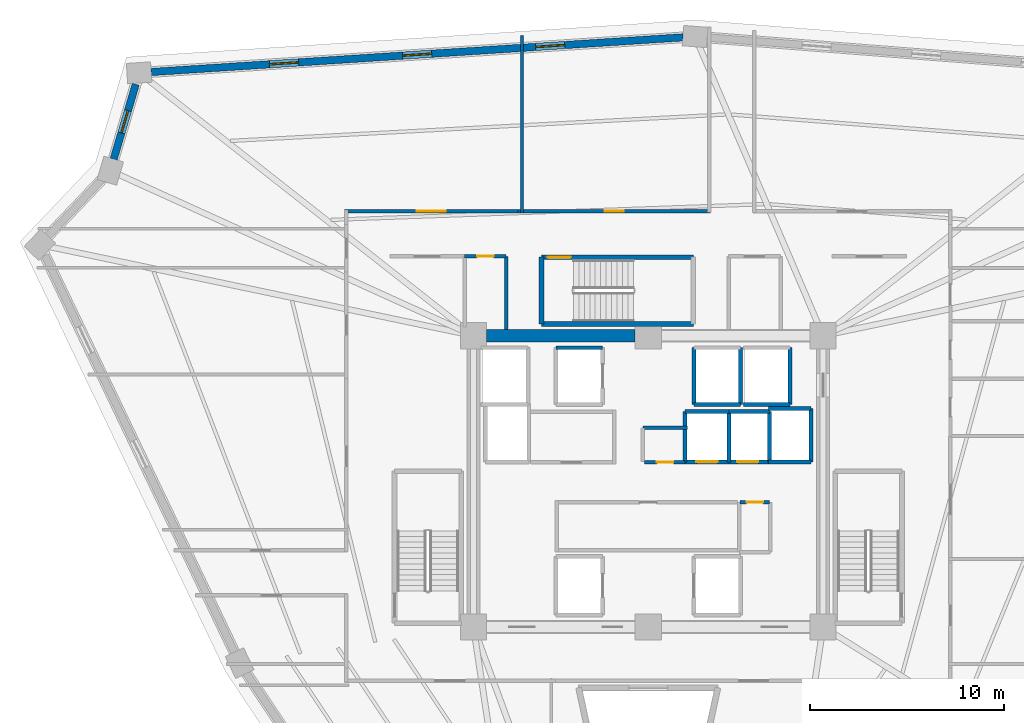
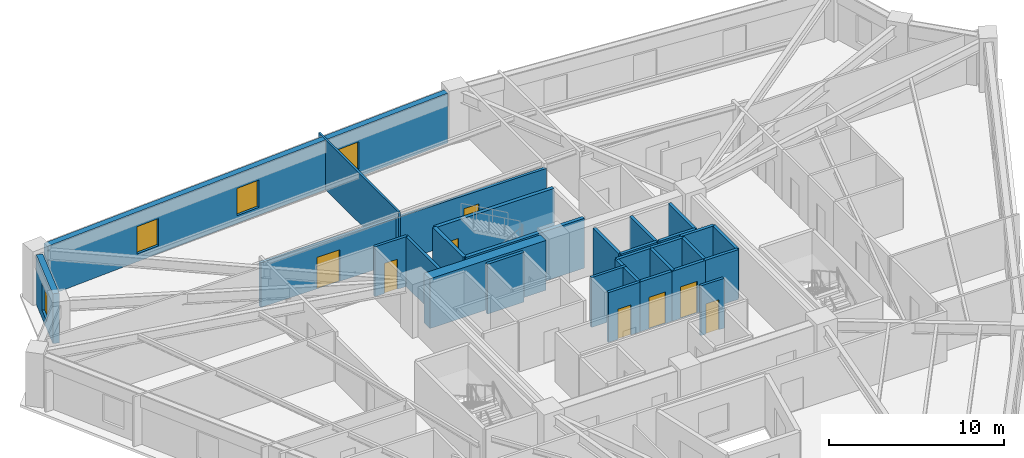
# One storey, part 5 of 8: 30 walls, 8 doors, 4 windows, 12 openings.
"""IFC4 building model written with IfcOpenShell, lengths in metres."""

from ifc_helpers import new_model, si_unit, direction, frame, frame_2d, origin, place, context, subcontext, project, spatial, rectangle, extrude, source, transform, mapped, material, layer, layer_set, type_object, element, fill, save


model = new_model("IFC4")

# Units and contexts
model_context = context("Model", 3, precision=1e-05, world=origin(), true_north=direction((0.0, 1.0)))
body_context = subcontext(model_context, "Body", "Model", "MODEL_VIEW")
ifc_project = project(units=[si_unit("LENGTHUNIT", "METRE"), si_unit("AREAUNIT", "SQUARE_METRE"), si_unit("VOLUMEUNIT", "CUBIC_METRE"), si_unit("PLANEANGLEUNIT", "RADIAN"), si_unit("MASSUNIT", "GRAM", prefix="KILO")], contexts=[model_context])

# Site, building, storey
site_placement = place(None, origin())
site = spatial("IfcSite", under=ifc_project, at=site_placement, CompositionType="ELEMENT")
building_placement = place(site_placement, origin())
building = spatial("IfcBuilding", under=site, at=building_placement, Name="Liaohun Quay Tower", CompositionType="ELEMENT")
storey_placement = place(building_placement, frame((0.0, 0.0, 273.75)))
storey = spatial("IfcBuildingStorey", under=building, at=storey_placement, Name="L71", CompositionType="ELEMENT", Elevation=273.75)

# Wall
ifc_material_1 = material(Name="Concrete C55", Category="concrete")
ifc_layer_1 = layer(ifc_material_1, 0.64990234375, Name="Concrete C55", Category="concrete")
ifc_layer_set_1 = layer_set([ifc_layer_1], Name="Concrete C55")
wall_type_1 = type_object("IfcWallType", Name="WAL-COR-Z3", PredefinedType="SHEAR", material=ifc_layer_set_1)
wall_1_placement = place(storey_placement, frame((51.675048828125, 61.5, 0.0), z_axis=(0.0, 0.0, 1.0), x_axis=(1.0, 0.0, 0.0)))
element("IfcWall", 1, at=wall_1_placement, inside=storey, type_object=wall_type_1, Name="L71 Central Core Shear Wall N-W", PredefinedType="SHEAR", context=body_context, shape_type="SweptSolid", body=[
    extrude(rectangle(XDim=7.64990234375, YDim=0.64990234375, at=frame_2d((3.824951171875, 0.0))), origin(), (0.0, 0.0, 1.0), 3.469970703125),
])

# Wall, openings, windows
ifc_material_2 = material(Name="Precast concrete C50 insulated sandwich", Category="concrete")
ifc_layer_2 = layer(ifc_material_2, 0.3798828125, Name="Precast concrete C50 insulated sandwich", Category="concrete")
ifc_layer_set_2 = layer_set([ifc_layer_2], Name="Precast concrete C50 insulated sandwich")
wall_type_2 = type_object("IfcWallType", Name="WAL-EXT-Z34", PredefinedType="SOLIDWALL", material=ifc_layer_set_2)
wall_2_placement = place(storey_placement, frame((61.798095703125, 76.85888671875, 0.0), z_axis=(0.0, 0.0, 1.0), x_axis=(-0.997879704208, -0.065085297335, 0.0)))
wall_2 = element("IfcWall", 2, at=wall_2_placement, inside=storey, type_object=wall_type_2, Name="L71 Brutalist Precast Pier Wall 07", PredefinedType="SOLIDWALL", context=body_context, shape_type="SweptSolid", body=[
    extrude(rectangle(XDim=27.4541015625, YDim=0.3798828125, at=frame_2d((13.72705078125, 0.0))), origin(), (0.0, 0.0, 1.0), 3.469970703125),
])
shared_shape_1 = source(origin(), body_context, "Body", "SweptSolid", [
    extrude(rectangle(XDim=1.5, YDim=1.89990234375, at=frame_2d((0.75, 0.949951171875))), frame((0.0, 0.199951171875, 0.0), z_axis=(0.0, -1.0, 0.0), x_axis=(1.0, 0.0, 0.0)), (0.0, 0.0, 1.0), 0.39990234375),
])
opening_1_placement = place(wall_2_placement, frame((6.114013671875, 0.0, 0.550048828125)))
opening_1 = element("IfcOpeningElement", 3, at=opening_1_placement, cuts=wall_2, Name="Opening W03", PredefinedType="OPENING", context=body_context, shape_type="MappedRepresentation", body=[
    mapped(shared_shape_1, transform((0.0, 0.0, 0.0), x_axis=(1.0, 0.0, 0.0), y_axis=(0.0, 1.0, 0.0), z_axis=(0.0, 0.0, 1.0), scale=1.0)),
])
opening_2_placement = place(wall_2_placement, frame((12.97705078125, 0.0, 0.550048828125)))
opening_2 = element("IfcOpeningElement", 4, at=opening_2_placement, cuts=wall_2, Name="Opening W03", PredefinedType="OPENING", context=body_context, shape_type="MappedRepresentation", body=[
    mapped(shared_shape_1, transform((0.0, 0.0, 0.0), x_axis=(1.0, 0.0, 0.0), y_axis=(0.0, 1.0, 0.0), z_axis=(0.0, 0.0, 1.0), scale=1.0)),
])
opening_3_placement = place(wall_2_placement, frame((19.841064453125, 0.0, 0.550048828125)))
opening_3 = element("IfcOpeningElement", 5, at=opening_3_placement, cuts=wall_2, Name="Opening W03", PredefinedType="OPENING", context=body_context, shape_type="MappedRepresentation", body=[
    mapped(shared_shape_1, transform((0.0, 0.0, 0.0), x_axis=(1.0, 0.0, 0.0), y_axis=(0.0, 1.0, 0.0), z_axis=(0.0, 0.0, 1.0), scale=1.0)),
])
ifc_material_3 = material(Name="Triple Low-E argon glazing in thermally broken aluminium", Category="aluminium")
window_type_1 = type_object("IfcWindowType", Name="WIN-PUN-Z3", PartitioningType="DOUBLE_PANEL_VERTICAL", PredefinedType="WINDOW", material=ifc_material_3)
shared_shape_2 = source(origin(), body_context, "Body", "SweptSolid", [
    extrude(rectangle(XDim=1.5, YDim=1.89990234375, at=frame_2d((0.75, 0.949951171875))), frame((0.0, 0.030029296875, 0.0), z_axis=(0.0, -1.0, 0.0), x_axis=(1.0, 0.0, 0.0)), (0.0, 0.0, 1.0), 0.06005859375),
])
window_1_placement = place(opening_1_placement, origin())
window_1 = element("IfcWindow", 6, at=window_1_placement, inside=storey, type_object=window_type_1, Name="L71 Recessed Cold-Climate Punched Window 07-1", OverallHeight=1.89990234375, OverallWidth=1.5, PartitioningType="DOUBLE_PANEL_VERTICAL", PredefinedType="WINDOW", context=body_context, shape_type="MappedRepresentation", body=[
    mapped(shared_shape_2, transform((0.0, 0.0, 0.0), x_axis=(1.0, 0.0, 0.0), y_axis=(0.0, 1.0, 0.0), z_axis=(0.0, 0.0, 1.0), scale=1.0)),
])
fill(opening_1, window_1)
window_2_placement = place(opening_2_placement, origin())
window_2 = element("IfcWindow", 7, at=window_2_placement, inside=storey, type_object=window_type_1, Name="L71 Recessed Cold-Climate Punched Window 07-2", OverallHeight=1.89990234375, OverallWidth=1.5, PartitioningType="DOUBLE_PANEL_VERTICAL", PredefinedType="WINDOW", context=body_context, shape_type="MappedRepresentation", body=[
    mapped(shared_shape_2, transform((0.0, 0.0, 0.0), x_axis=(1.0, 0.0, 0.0), y_axis=(0.0, 1.0, 0.0), z_axis=(0.0, 0.0, 1.0), scale=1.0)),
])
fill(opening_2, window_2)
window_3_placement = place(opening_3_placement, origin())
window_3 = element("IfcWindow", 8, at=window_3_placement, inside=storey, type_object=window_type_1, Name="L71 Recessed Cold-Climate Punched Window 07-3", OverallHeight=1.89990234375, OverallWidth=1.5, PartitioningType="DOUBLE_PANEL_VERTICAL", PredefinedType="WINDOW", context=body_context, shape_type="MappedRepresentation", body=[
    mapped(shared_shape_2, transform((0.0, 0.0, 0.0), x_axis=(1.0, 0.0, 0.0), y_axis=(0.0, 1.0, 0.0), z_axis=(0.0, 0.0, 1.0), scale=1.0)),
])
fill(opening_3, window_3)

# Wall, opening, window
wall_3_placement = place(storey_placement, frame((33.614013671875, 74.44189453125, 0.0), z_axis=(0.0, 0.0, 1.0), x_axis=(-0.28278049645, -0.959184648974, 0.0)))
wall_3 = element("IfcWall", 9, at=wall_3_placement, inside=storey, type_object=wall_type_2, Name="L71 Brutalist Precast Pier Wall 08", PredefinedType="SOLIDWALL", context=body_context, shape_type="SweptSolid", body=[
    extrude(rectangle(XDim=4.024169921875, YDim=0.3798828125, at=frame_2d((2.01220703125, 0.0))), origin(), (0.0, 0.0, 1.0), 3.469970703125),
])
shared_shape_3 = source(origin(), body_context, "Body", "SweptSolid", [
    extrude(rectangle(XDim=1.199951171875, YDim=1.89990234375, at=frame_2d((0.60009765625, 0.949951171875))), frame((0.0, 0.199951171875, 0.0), z_axis=(0.0, -1.0, 0.0), x_axis=(1.0, 0.0, 0.0)), (0.0, 0.0, 1.0), 0.39990234375),
])
opening_4_placement = place(wall_3_placement, frame((1.412109375, 0.0, 0.550048828125)))
opening_4 = element("IfcOpeningElement", 10, at=opening_4_placement, cuts=wall_3, Name="Opening W05", PredefinedType="OPENING", context=body_context, shape_type="MappedRepresentation", body=[
    mapped(shared_shape_3, transform((0.0, 0.0, 0.0), x_axis=(1.0, 0.0, 0.0), y_axis=(0.0, 1.0, 0.0), z_axis=(0.0, 0.0, 1.0), scale=1.0)),
])
ifc_material_4 = material(Name="Triple Low-E corner notch glazing", Category="glass")
window_type_2 = type_object("IfcWindowType", Name="WIN-NOTCH", PartitioningType="SINGLE_PANEL", PredefinedType="WINDOW", material=ifc_material_4)
shared_shape_4 = source(origin(), body_context, "Body", "SweptSolid", [
    extrude(rectangle(XDim=1.199951171875, YDim=1.89990234375, at=frame_2d((0.60009765625, 0.949951171875))), frame((0.0, 0.030029296875, 0.0), z_axis=(0.0, -1.0, 0.0), x_axis=(1.0, 0.0, 0.0)), (0.0, 0.0, 1.0), 0.06005859375),
])
window_4_placement = place(opening_4_placement, origin())
window_4 = element("IfcWindow", 11, at=window_4_placement, inside=storey, type_object=window_type_2, Name="L71 Corner Notch Window W05-08", OverallHeight=1.89990234375, OverallWidth=1.199951171875, PartitioningType="SINGLE_PANEL", PredefinedType="WINDOW", context=body_context, shape_type="MappedRepresentation", body=[
    mapped(shared_shape_4, transform((0.0, 0.0, 0.0), x_axis=(1.0, 0.0, 0.0), y_axis=(0.0, 1.0, 0.0), z_axis=(0.0, 0.0, 1.0), scale=1.0)),
])
fill(opening_4, window_4)

# Wall, opening, door
ifc_material_5 = material(Name="Autoclaved aerated concrete blockwork", Category="masonry")
ifc_layer_3 = layer(ifc_material_5, 0.179931640625, Name="Autoclaved aerated concrete blockwork", Category="masonry")
ifc_layer_set_3 = layer_set([ifc_layer_3], Name="Autoclaved aerated concrete blockwork")
wall_type_3 = type_object("IfcWallType", Name="WAL-PRT-COR", PredefinedType="PARTITIONING", material=ifc_layer_set_3)
wall_4_placement = place(storey_placement, frame((59.81005859375, 54.97998046875, 0.0), z_axis=(0.0, 0.0, 1.0), x_axis=(1.0, 0.0, 0.0)))
wall_4 = element("IfcWall", 12, at=wall_4_placement, inside=storey, type_object=wall_type_3, Name="L71 Interior Partition Wall 003", PredefinedType="PARTITIONING", context=body_context, shape_type="SweptSolid", body=[
    extrude(rectangle(XDim=2.08984375, YDim=0.179931640625, at=frame_2d((1.044921875, 0.0))), origin(), (0.0, 0.0, 1.0), 3.469970703125),
])
shared_shape_5 = source(origin(), body_context, "Body", "SweptSolid", [
    extrude(rectangle(XDim=0.85009765625, YDim=2.10009765625, at=frame_2d((0.425048828125, 1.050048828125))), frame((0.0, 0.099853515625, 0.0), z_axis=(0.0, -1.0, 0.0), x_axis=(1.0, 0.0, 0.0)), (0.0, 0.0, 1.0), 0.199951171875),
])
opening_5_placement = place(wall_4_placement, frame((0.635009765625, 0.0, 0.0)))
opening_5 = element("IfcOpeningElement", 13, at=opening_5_placement, cuts=wall_4, Name="Opening AD1", PredefinedType="OPENING", context=body_context, shape_type="MappedRepresentation", body=[
    mapped(shared_shape_5, transform((0.0, 0.0, 0.0), x_axis=(1.0, 0.0, 0.0), y_axis=(0.0, 1.0, 0.0), z_axis=(0.0, 0.0, 1.0), scale=1.0)),
])
ifc_material_6 = material(Name="Steel riser inspection fire door", Category="steel")
door_type_1 = type_object("IfcDoorType", Name="DOR-SHF-850", OperationType="NOTDEFINED", PredefinedType="DOOR", material=ifc_material_6)
shared_shape_6 = source(origin(), body_context, "Body", "SweptSolid", [
    extrude(rectangle(XDim=0.85009765625, YDim=2.10009765625, at=frame_2d((0.425048828125, 1.050048828125))), frame((0.0, 0.02490234375, 0.0), z_axis=(0.0, -1.0, 0.0), x_axis=(1.0, 0.0, 0.0)), (0.0, 0.0, 1.0), 0.050048828125),
])
door_1_placement = place(opening_5_placement, origin())
door_1 = element("IfcDoor", 14, at=door_1_placement, inside=storey, type_object=door_type_1, Name="L71 Electrical Meter Room Door", OperationType="SINGLE_SWING_RIGHT", OverallHeight=2.10009765625, OverallWidth=0.85009765625, PredefinedType="DOOR", context=body_context, shape_type="MappedRepresentation", body=[
    mapped(shared_shape_6, transform((0.0, 0.0, 0.0), x_axis=(1.0, 0.0, 0.0), y_axis=(0.0, 1.0, 0.0), z_axis=(0.0, 0.0, 1.0), scale=1.0)),
])
fill(opening_5, door_1)

wall_5_placement = place(storey_placement, frame((64.719970703125, 52.919921875, 0.0), z_axis=(0.0, 0.0, 1.0), x_axis=(1.0, 0.0, 0.0)))
wall_5 = element("IfcWall", 15, at=wall_5_placement, inside=storey, type_object=wall_type_3, Name="L71 Interior Partition Wall 004", PredefinedType="PARTITIONING", context=body_context, shape_type="SweptSolid", body=[
    extrude(rectangle(XDim=1.530029296875, YDim=0.179931640625, at=frame_2d((0.76513671875, 0.0))), origin(), (0.0, 0.0, 1.0), 3.469970703125),
])
opening_6_placement = place(wall_5_placement, frame((0.340087890625, 0.0, 0.0)))
opening_6 = element("IfcOpeningElement", 16, at=opening_6_placement, cuts=wall_5, Name="Opening AD1", PredefinedType="OPENING", context=body_context, shape_type="MappedRepresentation", body=[
    mapped(shared_shape_5, transform((0.0, 0.0, 0.0), x_axis=(1.0, 0.0, 0.0), y_axis=(0.0, 1.0, 0.0), z_axis=(0.0, 0.0, 1.0), scale=1.0)),
])
door_2_placement = place(opening_6_placement, origin())
door_2 = element("IfcDoor", 17, at=door_2_placement, inside=storey, type_object=door_type_1, Name="L71 BMS Data Riser Room Door", OperationType="SINGLE_SWING_LEFT", OverallHeight=2.10009765625, OverallWidth=0.85009765625, PredefinedType="DOOR", context=body_context, shape_type="MappedRepresentation", body=[
    mapped(shared_shape_6, transform((0.0, 0.0, 0.0), x_axis=(1.0, 0.0, 0.0), y_axis=(0.0, 1.0, 0.0), z_axis=(0.0, 0.0, 1.0), scale=1.0)),
])
fill(opening_6, door_2)

wall_6_placement = place(storey_placement, frame((50.5400390625, 65.580078125, 0.0), z_axis=(0.0, 0.0, 1.0), x_axis=(1.0, 0.0, 0.0)))
wall_6 = element("IfcWall", 18, at=wall_6_placement, inside=storey, type_object=wall_type_3, Name="L71 Interior Partition Wall 008", PredefinedType="PARTITIONING", context=body_context, shape_type="SweptSolid", body=[
    extrude(rectangle(XDim=2.139892578125, YDim=0.179931640625, at=frame_2d((1.06982421875, 0.0))), origin(), (0.0, 0.0, 1.0), 3.469970703125),
])
opening_7_placement = place(wall_6_placement, frame((0.64501953125, 0.0, 0.0)))
opening_7 = element("IfcOpeningElement", 19, at=opening_7_placement, cuts=wall_6, Name="Opening AD1", PredefinedType="OPENING", context=body_context, shape_type="MappedRepresentation", body=[
    mapped(shared_shape_5, transform((0.0, 0.0, 0.0), x_axis=(1.0, 0.0, 0.0), y_axis=(0.0, 1.0, 0.0), z_axis=(0.0, 0.0, 1.0), scale=1.0)),
])
door_3_placement = place(opening_7_placement, origin())
door_3 = element("IfcDoor", 20, at=door_3_placement, inside=storey, type_object=door_type_1, Name="L71 North-West Supply Store Door", OperationType="SINGLE_SWING_LEFT", OverallHeight=2.10009765625, OverallWidth=0.85009765625, PredefinedType="DOOR", context=body_context, shape_type="MappedRepresentation", body=[
    mapped(shared_shape_6, transform((0.0, 0.0, 0.0), x_axis=(1.0, 0.0, 0.0), y_axis=(0.0, 1.0, 0.0), z_axis=(0.0, 0.0, 1.0), scale=1.0)),
])
fill(opening_7, door_3)

wall_7_placement = place(storey_placement, frame((53.284912109375, 67.909912109375, 0.0), z_axis=(0.0, 0.0, 1.0), x_axis=(1.0, 0.0, 0.0)))
wall_7 = element("IfcWall", 21, at=wall_7_placement, inside=storey, type_object=wall_type_3, Name="L71 Interior Partition Wall 014", PredefinedType="PARTITIONING", context=body_context, shape_type="SweptSolid", body=[
    extrude(rectangle(XDim=9.925048828125, YDim=0.179931640625, at=frame_2d((4.96240234375, 0.0))), origin(), (0.0, 0.0, 1.0), 3.10498046875),
])
shared_shape_7 = source(origin(), body_context, "Body", "SweptSolid", [
    extrude(rectangle(XDim=1.0, YDim=2.199951171875, at=frame_2d((0.5, 1.10009765625))), frame((0.0, 0.099853515625, 0.0), z_axis=(0.0, -1.0, 0.0), x_axis=(1.0, 0.0, 0.0)), (0.0, 0.0, 1.0), 0.199951171875),
])
opening_8_placement = place(wall_7_placement, frame((4.462890625, 0.0, 0.0)))
opening_8 = element("IfcOpeningElement", 22, at=opening_8_placement, cuts=wall_7, Name="Opening OD1", PredefinedType="OPENING", context=body_context, shape_type="MappedRepresentation", body=[
    mapped(shared_shape_7, transform((0.0, 0.0, 0.0), x_axis=(1.0, 0.0, 0.0), y_axis=(0.0, 1.0, 0.0), z_axis=(0.0, 0.0, 1.0), scale=1.0)),
])
ifc_material_7 = material(Name="Solid-core oak veneer timber leaf in steel frame", Category="steel")
door_type_2 = type_object("IfcDoorType", Name="DOR-OFF-1000", OperationType="NOTDEFINED", PredefinedType="DOOR", material=ifc_material_7)
shared_shape_8 = source(origin(), body_context, "Body", "SweptSolid", [
    extrude(rectangle(XDim=1.0, YDim=2.199951171875, at=frame_2d((0.5, 1.10009765625))), frame((0.0, 0.02490234375, 0.0), z_axis=(0.0, -1.0, 0.0), x_axis=(1.0, 0.0, 0.0)), (0.0, 0.0, 1.0), 0.050048828125),
])
door_4_placement = place(opening_8_placement, origin())
door_4 = element("IfcDoor", 23, at=door_4_placement, inside=storey, type_object=door_type_2, Name="L71 Digital Prototyping Laboratory 03 Door", OperationType="SINGLE_SWING_LEFT", OverallHeight=2.199951171875, OverallWidth=1.0, PredefinedType="DOOR", context=body_context, shape_type="MappedRepresentation", body=[
    mapped(shared_shape_8, transform((0.0, 0.0, 0.0), x_axis=(1.0, 0.0, 0.0), y_axis=(0.0, 1.0, 0.0), z_axis=(0.0, 0.0, 1.0), scale=1.0)),
])
fill(opening_8, door_4)

wall_8_placement = place(storey_placement, frame((44.3701171875, 67.909912109375, 0.0), z_axis=(0.0, 0.0, 1.0), x_axis=(1.0, 0.0, 0.0)))
wall_8 = element("IfcWall", 24, at=wall_8_placement, inside=storey, type_object=wall_type_3, Name="L71 Interior Partition Wall 015", PredefinedType="PARTITIONING", context=body_context, shape_type="SweptSolid", body=[
    extrude(rectangle(XDim=8.914794921875, YDim=0.179931640625, at=frame_2d((4.45751953125, 0.0))), origin(), (0.0, 0.0, 1.0), 3.10498046875),
])
shared_shape_9 = source(origin(), body_context, "Body", "SweptSolid", [
    extrude(rectangle(XDim=1.5, YDim=2.199951171875, at=frame_2d((0.75, 1.10009765625))), frame((0.0, 0.099853515625, 0.0), z_axis=(0.0, -1.0, 0.0), x_axis=(1.0, 0.0, 0.0)), (0.0, 0.0, 1.0), 0.199951171875),
])
opening_9_placement = place(wall_8_placement, frame((3.70703125, 0.0, 0.0)))
opening_9 = element("IfcOpeningElement", 25, at=opening_9_placement, cuts=wall_8, Name="Opening OD2", PredefinedType="OPENING", context=body_context, shape_type="MappedRepresentation", body=[
    mapped(shared_shape_9, transform((0.0, 0.0, 0.0), x_axis=(1.0, 0.0, 0.0), y_axis=(0.0, 1.0, 0.0), z_axis=(0.0, 0.0, 1.0), scale=1.0)),
])
ifc_material_8 = material(Name="Acoustic oak veneer double door")
door_type_3 = type_object("IfcDoorType", Name="DOR-OFF-1500", OperationType="DOUBLE_DOOR_SINGLE_SWING", PredefinedType="DOOR", material=ifc_material_8)
shared_shape_10 = source(origin(), body_context, "Body", "SweptSolid", [
    extrude(rectangle(XDim=1.5, YDim=2.199951171875, at=frame_2d((0.75, 1.10009765625))), frame((0.0, 0.02490234375, 0.0), z_axis=(0.0, -1.0, 0.0), x_axis=(1.0, 0.0, 0.0)), (0.0, 0.0, 1.0), 0.050048828125),
])
door_5_placement = place(opening_9_placement, origin())
door_5 = element("IfcDoor", 26, at=door_5_placement, inside=storey, type_object=door_type_3, Name="L71 Project Collaboration Studio 04 Door", OperationType="DOUBLE_DOOR_SINGLE_SWING", OverallHeight=2.199951171875, OverallWidth=1.5, PredefinedType="DOOR", context=body_context, shape_type="MappedRepresentation", body=[
    mapped(shared_shape_10, transform((0.0, 0.0, 0.0), x_axis=(1.0, 0.0, 0.0), y_axis=(0.0, 1.0, 0.0), z_axis=(0.0, 0.0, 1.0), scale=1.0)),
])
fill(opening_9, door_5)

# Walls
wall_9_placement = place(storey_placement, frame((59.719970703125, 56.75, 0.0), z_axis=(0.0, 0.0, 1.0), x_axis=(1.0, 0.0, 0.0)))
element("IfcWall", 27, at=wall_9_placement, inside=storey, type_object=wall_type_3, Name="L71 Interior Partition Wall 025", PredefinedType="PARTITIONING", context=body_context, shape_type="SweptSolid", body=[
    extrude(rectangle(XDim=2.2900390625, YDim=0.179931640625, at=frame_2d((1.14501953125, 0.0))), origin(), (0.0, 0.0, 1.0), 3.469970703125),
])
wall_10_placement = place(storey_placement, frame((52.679931640625, 61.824951171875, 0.0), z_axis=(0.0, 0.0, 1.0), x_axis=(0.0, 1.0, 0.0)))
element("IfcWall", 28, at=wall_10_placement, inside=storey, type_object=wall_type_3, Name="L71 Interior Partition Wall 035", PredefinedType="PARTITIONING", context=body_context, shape_type="SweptSolid", body=[
    extrude(rectangle(XDim=3.755126953125, YDim=0.179931640625, at=frame_2d((1.87744140625, 0.0))), origin(), (0.0, 0.0, 1.0), 3.469970703125),
])
ifc_material_9 = material(Name="Gypsum board on twin steel studs", Category="steel")
ifc_layer_4 = layer(ifc_material_9, 0.139892578125, Name="Gypsum board on twin steel studs", Category="steel")
ifc_layer_set_4 = layer_set([ifc_layer_4], Name="Gypsum board on twin steel studs")
wall_type_4 = type_object("IfcWallType", Name="WAL-PRT-OFF", PredefinedType="PARTITIONING", material=ifc_layer_set_4)
wall_11_placement = place(storey_placement, frame((53.5, 67.81005859375, 0.0), z_axis=(0.0, 0.0, 1.0), x_axis=(0.0, 1.0, 0.0)))
element("IfcWall", 29, at=wall_11_placement, inside=storey, type_object=wall_type_4, Name="L71 Interior Partition Wall 056", PredefinedType="PARTITIONING", context=body_context, shape_type="SweptSolid", body=[
    extrude(rectangle(XDim=9.138916015625, YDim=0.139892578125, at=frame_2d((4.5693359375, 0.0))), origin(), (0.0, 0.0, 1.0), 3.469970703125),
])
ifc_material_10 = material(Name="Concrete C50", Category="concrete")
ifc_layer_5 = layer(ifc_material_10, 0.239990234375, Name="Concrete C50", Category="concrete")
ifc_layer_set_5 = layer_set([ifc_layer_5], Name="Concrete C50")
wall_type_5 = type_object("IfcWallType", Name="WAL-SHF-200", PredefinedType="SOLIDWALL", material=ifc_layer_set_5)
wall_12_placement = place(storey_placement, frame((54.5, 62.10009765625, 0.0), z_axis=(0.0, 0.0, 1.0), x_axis=(1.0, 0.0, 0.0)))
element("IfcWall", 30, at=wall_12_placement, inside=storey, type_object=wall_type_5, Name="L71 Stairwell ST-3 Structural Core Wall S", PredefinedType="SOLIDWALL", context=body_context, shape_type="SweptSolid", body=[
    extrude(rectangle(XDim=7.820068359375, YDim=0.239990234375, at=frame_2d((3.91015625, 0.0))), origin(), (0.0, 0.0, 1.0), 3.469970703125),
])

# Wall, opening, door
wall_13_placement = place(storey_placement, frame((62.320068359375, 65.5400390625, 0.0), z_axis=(0.0, 0.0, 1.0), x_axis=(-1.0, 0.0, 0.0)))
wall_13 = element("IfcWall", 31, at=wall_13_placement, inside=storey, type_object=wall_type_5, Name="L71 Stairwell ST-3 Structural Core Wall N", PredefinedType="SOLIDWALL", context=body_context, shape_type="SweptSolid", body=[
    extrude(rectangle(XDim=7.820068359375, YDim=0.239990234375, at=frame_2d((3.91015625, 0.0))), origin(), (0.0, 0.0, 1.0), 3.469970703125),
])
shared_shape_11 = source(origin(), body_context, "Body", "SweptSolid", [
    extrude(rectangle(XDim=1.199951171875, YDim=2.199951171875, at=frame_2d((0.60009765625, 1.10009765625))), frame((0.0, 0.1298828125, 0.0), z_axis=(0.0, -1.0, 0.0), x_axis=(1.0, 0.0, 0.0)), (0.0, 0.0, 1.0), 0.260009765625),
])
opening_10_placement = place(wall_13_placement, frame((6.300048828125, 0.0, 0.0)))
opening_10 = element("IfcOpeningElement", 32, at=opening_10_placement, cuts=wall_13, Name="Opening SD1", PredefinedType="OPENING", context=body_context, shape_type="MappedRepresentation", body=[
    mapped(shared_shape_11, transform((0.0, 0.0, 0.0), x_axis=(1.0, 0.0, 0.0), y_axis=(0.0, 1.0, 0.0), z_axis=(0.0, 0.0, 1.0), scale=1.0)),
])
ifc_material_11 = material(Name="Galvanised steel fire door", Category="steel")
door_type_4 = type_object("IfcDoorType", Name="DOR-STR-1200", OperationType="NOTDEFINED", PredefinedType="DOOR", material=ifc_material_11)
shared_shape_12 = source(origin(), body_context, "Body", "SweptSolid", [
    extrude(rectangle(XDim=1.199951171875, YDim=2.199951171875, at=frame_2d((0.60009765625, 1.10009765625))), frame((0.0, 0.02490234375, 0.0), z_axis=(0.0, -1.0, 0.0), x_axis=(1.0, 0.0, 0.0)), (0.0, 0.0, 1.0), 0.050048828125),
])
door_6_placement = place(opening_10_placement, origin())
door_6 = element("IfcDoor", 33, at=door_6_placement, inside=storey, type_object=door_type_4, Name="L71 Protected Stair ST-3 Fire Door", OperationType="SINGLE_SWING_RIGHT", OverallHeight=2.199951171875, OverallWidth=1.199951171875, PredefinedType="DOOR", context=body_context, shape_type="MappedRepresentation", body=[
    mapped(shared_shape_12, transform((0.0, 0.0, 0.0), x_axis=(1.0, 0.0, 0.0), y_axis=(0.0, 1.0, 0.0), z_axis=(0.0, 0.0, 1.0), scale=1.0)),
])
fill(opening_10, door_6)

# Walls
wall_14_placement = place(storey_placement, frame((54.5, 65.5400390625, 0.0), z_axis=(0.0, 0.0, 1.0), x_axis=(0.0, -1.0, 0.0)))
element("IfcWall", 34, at=wall_14_placement, inside=storey, type_object=wall_type_5, Name="L71 Stairwell ST-3 Structural Core Wall W", PredefinedType="SOLIDWALL", context=body_context, shape_type="SweptSolid", body=[
    extrude(rectangle(XDim=3.43994140625, YDim=0.239990234375, at=frame_2d((1.719970703125, 0.0))), origin(), (0.0, 0.0, 1.0), 3.469970703125),
])
for number, where, z_axis, x_axis, name in (
    (35, (57.64990234375, 60.8798828125, 0.0), (0.0, 0.0, 1.0), (-1.0, 0.0, 0.0), "L71 Lift FF-03 Hoistway Wall N"),
    (36, (62.35009765625, 57.949951171875, 0.0), (0.0, 0.0, 1.0), (1.0, 0.0, 0.0), "L71 Lift OB-01 Hoistway Wall S"),
):
    element("IfcWall", number, at=place(storey_placement, frame(where, z_axis=z_axis, x_axis=x_axis)), inside=storey, type_object=wall_type_5, Name=name, PredefinedType="SOLIDWALL", context=body_context, shape_type="SweptSolid", body=[
        extrude(rectangle(XDim=2.39990234375, YDim=0.199951171875, at=frame_2d((1.199951171875, 0.0))), origin(), (0.0, 0.0, 1.0), 3.469970703125),
    ])
for number, where, z_axis, x_axis, name in (
    (37, (64.75, 57.949951171875, 0.0), (0.0, 0.0, 1.0), (0.0, 1.0, 0.0), "L71 Lift OB-01 Hoistway Wall E"),
    (38, (62.35009765625, 60.8798828125, 0.0), (0.0, 0.0, 1.0), (0.0, -1.0, 0.0), "L71 Lift OB-01 Hoistway Wall W"),
):
    element("IfcWall", number, at=place(storey_placement, frame(where, z_axis=z_axis, x_axis=x_axis)), inside=storey, type_object=wall_type_5, Name=name, PredefinedType="SOLIDWALL", context=body_context, shape_type="SweptSolid", body=[
        extrude(rectangle(XDim=2.929931640625, YDim=0.199951171875, at=frame_2d((1.46484375, 0.0))), origin(), (0.0, 0.0, 1.0), 3.469970703125),
    ])
wall_15_placement = place(storey_placement, frame((64.89990234375, 57.949951171875, 0.0), z_axis=(0.0, 0.0, 1.0), x_axis=(1.0, 0.0, 0.0)))
element("IfcWall", 39, at=wall_15_placement, inside=storey, type_object=wall_type_5, Name="L71 Lift OB-02 Hoistway Wall S", PredefinedType="SOLIDWALL", context=body_context, shape_type="SweptSolid", body=[
    extrude(rectangle(XDim=2.400146484375, YDim=0.199951171875, at=frame_2d((1.2001953125, 0.0))), origin(), (0.0, 0.0, 1.0), 3.469970703125),
])
wall_16_placement = place(storey_placement, frame((67.300048828125, 57.949951171875, 0.0), z_axis=(0.0, 0.0, 1.0), x_axis=(0.0, 1.0, 0.0)))
element("IfcWall", 40, at=wall_16_placement, inside=storey, type_object=wall_type_5, Name="L71 Lift OB-02 Hoistway Wall E", PredefinedType="SOLIDWALL", context=body_context, shape_type="SweptSolid", body=[
    extrude(rectangle(XDim=2.929931640625, YDim=0.199951171875, at=frame_2d((1.46484375, 0.0))), origin(), (0.0, 0.0, 1.0), 3.469970703125),
])
wall_17_placement = place(storey_placement, frame((66.199951171875, 55.0, 0.0), z_axis=(0.0, 0.0, 1.0), x_axis=(1.0, 0.0, 0.0)))
element("IfcWall", 41, at=wall_17_placement, inside=storey, type_object=wall_type_5, Name="L71 Lift SH-03 Hoistway Wall S", PredefinedType="SOLIDWALL", context=body_context, shape_type="SweptSolid", body=[
    extrude(rectangle(XDim=2.179931640625, YDim=0.199951171875, at=frame_2d((1.08984375, 0.0))), origin(), (0.0, 0.0, 1.0), 3.469970703125),
])
wall_18_placement = place(storey_placement, frame((68.3798828125, 55.0, 0.0), z_axis=(0.0, 0.0, 1.0), x_axis=(0.0, 1.0, 0.0)))
element("IfcWall", 42, at=wall_18_placement, inside=storey, type_object=wall_type_5, Name="L71 Lift SH-03 Hoistway Wall E", PredefinedType="SOLIDWALL", context=body_context, shape_type="SweptSolid", body=[
    extrude(rectangle(XDim=2.75, YDim=0.199951171875, at=frame_2d((1.375, 0.0))), origin(), (0.0, 0.0, 1.0), 3.469970703125),
])
wall_19_placement = place(storey_placement, frame((68.3798828125, 57.75, 0.0), z_axis=(0.0, 0.0, 1.0), x_axis=(-1.0, 0.0, 0.0)))
element("IfcWall", 43, at=wall_19_placement, inside=storey, type_object=wall_type_5, Name="L71 Lift SH-03 Hoistway Wall N", PredefinedType="SOLIDWALL", context=body_context, shape_type="SweptSolid", body=[
    extrude(rectangle(XDim=2.179931640625, YDim=0.199951171875, at=frame_2d((1.08984375, 0.0))), origin(), (0.0, 0.0, 1.0), 3.469970703125),
])

# Wall, opening, door
wall_20_placement = place(storey_placement, frame((61.89990234375, 55.0, 0.0), z_axis=(0.0, 0.0, 1.0), x_axis=(1.0, 0.0, 0.0)))
wall_20 = element("IfcWall", 44, at=wall_20_placement, inside=storey, type_object=wall_type_5, Name="L71 Lift PL-3A Hoistway Wall S", PredefinedType="SOLIDWALL", context=body_context, shape_type="SweptSolid", body=[
    extrude(rectangle(XDim=2.25, YDim=0.199951171875, at=frame_2d((1.125, 0.0))), origin(), (0.0, 0.0, 1.0), 3.469970703125),
])
shared_shape_13 = source(origin(), body_context, "Body", "SweptSolid", [
    extrude(rectangle(XDim=1.10009765625, YDim=2.199951171875, at=frame_2d((0.550048828125, 1.10009765625))), frame((0.0, 0.10986328125, 0.0), z_axis=(0.0, -1.0, 0.0), x_axis=(1.0, 0.0, 0.0)), (0.0, 0.0, 1.0), 0.219970703125),
])
opening_11_placement = place(wall_20_placement, frame((0.574951171875, 0.0, 0.0)))
opening_11 = element("IfcOpeningElement", 45, at=opening_11_placement, cuts=wall_20, Name="Opening LD1", PredefinedType="OPENING", context=body_context, shape_type="MappedRepresentation", body=[
    mapped(shared_shape_13, transform((0.0, 0.0, 0.0), x_axis=(1.0, 0.0, 0.0), y_axis=(0.0, 1.0, 0.0), z_axis=(0.0, 0.0, 1.0), scale=1.0)),
])
ifc_material_12 = material(Name="Brushed stainless steel landing door", Category="steel")
door_type_5 = type_object("IfcDoorType", Name="DOR-LFT-1100", OperationType="SLIDING_TO_LEFT", PredefinedType="DOOR", material=ifc_material_12)
shared_shape_14 = source(origin(), body_context, "Body", "SweptSolid", [
    extrude(rectangle(XDim=1.10009765625, YDim=2.199951171875, at=frame_2d((0.550048828125, 1.10009765625))), frame((0.0, 0.02490234375, 0.0), z_axis=(0.0, -1.0, 0.0), x_axis=(1.0, 0.0, 0.0)), (0.0, 0.0, 1.0), 0.050048828125),
])
door_7_placement = place(opening_11_placement, origin())
door_7 = element("IfcDoor", 46, at=door_7_placement, inside=storey, type_object=door_type_5, Name="L71 Lift PL-3A Sliding Landing Door", OperationType="SLIDING_TO_LEFT", OverallHeight=2.199951171875, OverallWidth=1.10009765625, PredefinedType="DOOR", context=body_context, shape_type="MappedRepresentation", body=[
    mapped(shared_shape_14, transform((0.0, 0.0, 0.0), x_axis=(1.0, 0.0, 0.0), y_axis=(0.0, 1.0, 0.0), z_axis=(0.0, 0.0, 1.0), scale=1.0)),
])
fill(opening_11, door_7)

# Walls
wall_21_placement = place(storey_placement, frame((64.14990234375, 55.0, 0.0), z_axis=(0.0, 0.0, 1.0), x_axis=(0.0, 1.0, 0.0)))
element("IfcWall", 47, at=wall_21_placement, inside=storey, type_object=wall_type_5, Name="L71 Lift PL-3A Hoistway Wall E", PredefinedType="SOLIDWALL", context=body_context, shape_type="SweptSolid", body=[
    extrude(rectangle(XDim=2.60009765625, YDim=0.199951171875, at=frame_2d((1.300048828125, 0.0))), origin(), (0.0, 0.0, 1.0), 3.469970703125),
])
wall_22_placement = place(storey_placement, frame((64.14990234375, 57.60009765625, 0.0), z_axis=(0.0, 0.0, 1.0), x_axis=(-1.0, 0.0, 0.0)))
element("IfcWall", 48, at=wall_22_placement, inside=storey, type_object=wall_type_5, Name="L71 Lift PL-3A Hoistway Wall N", PredefinedType="SOLIDWALL", context=body_context, shape_type="SweptSolid", body=[
    extrude(rectangle(XDim=2.25, YDim=0.199951171875, at=frame_2d((1.125, 0.0))), origin(), (0.0, 0.0, 1.0), 3.469970703125),
])
wall_23_placement = place(storey_placement, frame((61.89990234375, 57.60009765625, 0.0), z_axis=(0.0, 0.0, 1.0), x_axis=(0.0, -1.0, 0.0)))
element("IfcWall", 49, at=wall_23_placement, inside=storey, type_object=wall_type_5, Name="L71 Lift PL-3A Hoistway Wall W", PredefinedType="SOLIDWALL", context=body_context, shape_type="SweptSolid", body=[
    extrude(rectangle(XDim=2.60009765625, YDim=0.199951171875, at=frame_2d((1.300048828125, 0.0))), origin(), (0.0, 0.0, 1.0), 3.469970703125),
])

# Wall, opening, door
wall_24_placement = place(storey_placement, frame((64.0, 55.0, 0.0), z_axis=(0.0, 0.0, 1.0), x_axis=(1.0, 0.0, 0.0)))
wall_24 = element("IfcWall", 50, at=wall_24_placement, inside=storey, type_object=wall_type_5, Name="L71 Lift PL-3B Hoistway Wall S", PredefinedType="SOLIDWALL", context=body_context, shape_type="SweptSolid", body=[
    extrude(rectangle(XDim=2.25, YDim=0.199951171875, at=frame_2d((1.125, 0.0))), origin(), (0.0, 0.0, 1.0), 3.469970703125),
])
opening_12_placement = place(wall_24_placement, frame((0.574951171875, 0.0, 0.0)))
opening_12 = element("IfcOpeningElement", 51, at=opening_12_placement, cuts=wall_24, Name="Opening LD1", PredefinedType="OPENING", context=body_context, shape_type="MappedRepresentation", body=[
    mapped(shared_shape_13, transform((0.0, 0.0, 0.0), x_axis=(1.0, 0.0, 0.0), y_axis=(0.0, 1.0, 0.0), z_axis=(0.0, 0.0, 1.0), scale=1.0)),
])
door_8_placement = place(opening_12_placement, origin())
door_8 = element("IfcDoor", 52, at=door_8_placement, inside=storey, type_object=door_type_5, Name="L71 Lift PL-3B Sliding Landing Door", OperationType="SLIDING_TO_LEFT", OverallHeight=2.199951171875, OverallWidth=1.10009765625, PredefinedType="DOOR", context=body_context, shape_type="MappedRepresentation", body=[
    mapped(shared_shape_14, transform((0.0, 0.0, 0.0), x_axis=(1.0, 0.0, 0.0), y_axis=(0.0, 1.0, 0.0), z_axis=(0.0, 0.0, 1.0), scale=1.0)),
])
fill(opening_12, door_8)

# Walls
wall_25_placement = place(storey_placement, frame((66.25, 55.0, 0.0), z_axis=(0.0, 0.0, 1.0), x_axis=(0.0, 1.0, 0.0)))
element("IfcWall", 53, at=wall_25_placement, inside=storey, type_object=wall_type_5, Name="L71 Lift PL-3B Hoistway Wall E", PredefinedType="SOLIDWALL", context=body_context, shape_type="SweptSolid", body=[
    extrude(rectangle(XDim=2.60009765625, YDim=0.199951171875, at=frame_2d((1.300048828125, 0.0))), origin(), (0.0, 0.0, 1.0), 3.469970703125),
])
wall_26_placement = place(storey_placement, frame((66.25, 57.60009765625, 0.0), z_axis=(0.0, 0.0, 1.0), x_axis=(-1.0, 0.0, 0.0)))
element("IfcWall", 54, at=wall_26_placement, inside=storey, type_object=wall_type_5, Name="L71 Lift PL-3B Hoistway Wall N", PredefinedType="SOLIDWALL", context=body_context, shape_type="SweptSolid", body=[
    extrude(rectangle(XDim=2.25, YDim=0.199951171875, at=frame_2d((1.125, 0.0))), origin(), (0.0, 0.0, 1.0), 3.469970703125),
])

save(model, "model.ifc")
